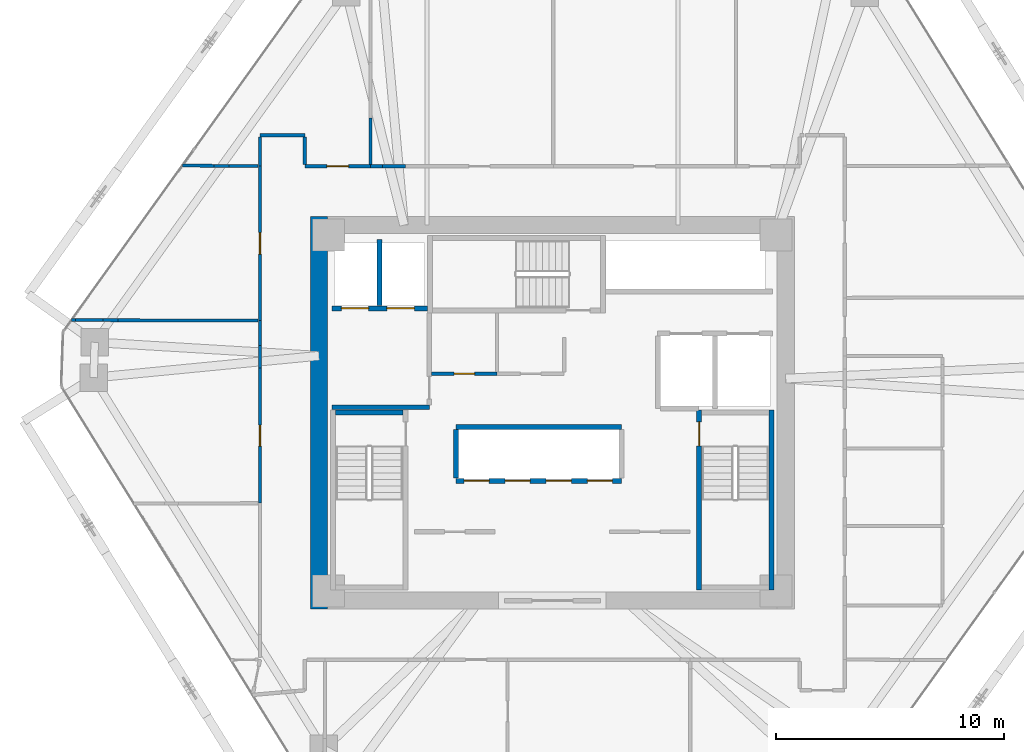
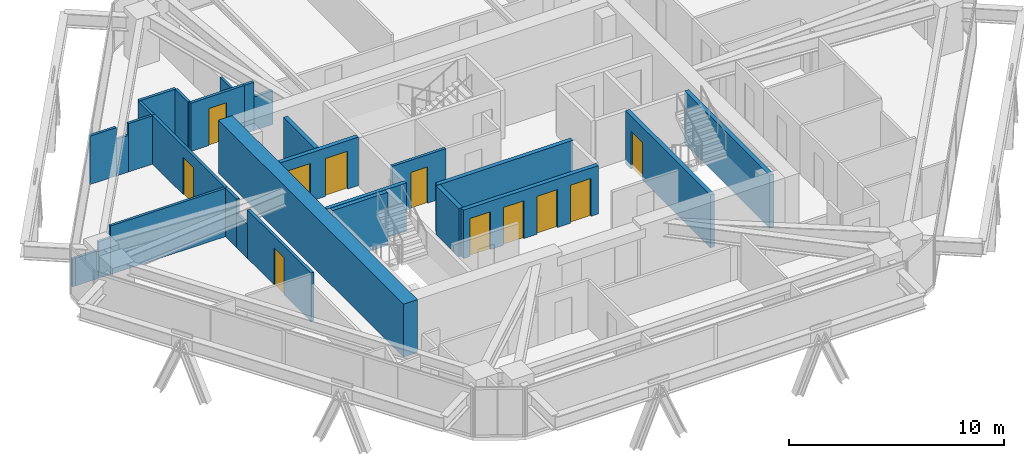
# One storey, part 13 of 17: 29 walls, 11 doors, 11 openings.
"""IFC4 building model written with IfcOpenShell, lengths in metres."""

import ifcopenshell
import ifcopenshell.guid

model = None  # the IFC model being written
_history = None  # IfcOwnerHistory: only IFC2X3 demands one
_inside = {}  # id of a spatial element -> (the spatial element, [elements in it])
_under = {}  # id of a project, library or spatial element -> (it, [spatial elements below it])
_declared = {}  # id of a project -> (the project, [libraries it declares])
_typed = {}  # id of a type object -> (the type object, [elements of that type])
_made_of = {}  # id of a material, layer set ... -> (it, [elements and type objects made of it])


def new_model(schema):
    """Start an empty IFC model of exactly this schema.

    Asked for "IFC4X3", IfcOpenShell would pick the latest addendum, in which some entities
    have other attributes; the version numbers below select the first issue.
    IFC2X3 requires an IfcOwnerHistory on every rooted entity: one is made here for all.
    """
    global model, _history
    if schema == "IFC4X3":
        model = ifcopenshell.file(schema_version=(4, 3, 0, 0))
    else:
        model = ifcopenshell.file(schema=schema)
    _inside.clear()
    _under.clear()
    _declared.clear()
    _typed.clear()
    _made_of.clear()
    _history = None
    if model.schema == "IFC2X3":
        org = make("IfcOrganization", Name="unknown")
        user = make(
            "IfcPersonAndOrganization",
            ThePerson=make("IfcPerson", FamilyName="unknown"),
            TheOrganization=org,
        )
        app = make(
            "IfcApplication",
            ApplicationDeveloper=org,
            Version="unknown",
            ApplicationFullName="unknown",
            ApplicationIdentifier="unknown",
        )
        _history = make(
            "IfcOwnerHistory",
            OwningUser=user,
            OwningApplication=app,
            ChangeAction="ADDED",
            CreationDate=0,
        )
    return model


def make(cls, **values):
    """One entity of the class cls with the attributes given. An attribute that is None is left unset."""
    return model.create_entity(
        cls, **{name: value for name, value in values.items() if value is not None}
    )


def rooted(cls, **values):
    """An entity with a GlobalId (a new one), such as an element, a storey or a relation."""
    return make(cls, GlobalId=ifcopenshell.guid.new(), OwnerHistory=_history, **values)


def si_unit(unit_type, name, prefix=None):
    """IfcSIUnit, for example si_unit("LENGTHUNIT", "METRE", prefix="MILLI")."""
    return make("IfcSIUnit", UnitType=unit_type, Prefix=prefix, Name=name)


def assignment(units):
    """IfcUnitAssignment: the units of a project."""
    return None if units is None else make("IfcUnitAssignment", Units=units)


def point(xyz):
    """IfcCartesianPoint."""
    return None if xyz is None else make("IfcCartesianPoint", Coordinates=xyz)


def direction(xyz):
    """IfcDirection."""
    return None if xyz is None else make("IfcDirection", DirectionRatios=xyz)


def frame(location, z_axis=None, x_axis=None):
    """IfcAxis2Placement3D, a coordinate frame: its origin and axes. An axis left out is left unset."""
    return make(
        "IfcAxis2Placement3D",
        Location=point(location),
        Axis=direction(z_axis),
        RefDirection=direction(x_axis),
    )


def frame_2d(location, x_axis=None):
    """IfcAxis2Placement2D, a coordinate frame in the plane: its origin and x axis."""
    return make(
        "IfcAxis2Placement2D", Location=point(location), RefDirection=direction(x_axis)
    )


def origin():
    """The frame at (0, 0, 0) with its axes left unset."""
    return frame((0.0, 0.0, 0.0))


def place(relative_to, where):
    """IfcLocalPlacement: puts the frame where relative to a parent placement (None: the world)."""
    return make(
        "IfcLocalPlacement", PlacementRelTo=relative_to, RelativePlacement=where
    )


def context(
    kind, dimensions, precision=None, world=None, true_north=None, identifier=None
):
    """IfcGeometricRepresentationContext, for example the 3D "Model" context."""
    return make(
        "IfcGeometricRepresentationContext",
        ContextIdentifier=identifier,
        ContextType=kind,
        CoordinateSpaceDimension=dimensions,
        Precision=precision,
        WorldCoordinateSystem=world,
        TrueNorth=true_north,
    )


def subcontext(parent, identifier, kind, view, scale=None):
    """IfcGeometricRepresentationSubContext, for example "Body" below "Model"."""
    return make(
        "IfcGeometricRepresentationSubContext",
        ContextIdentifier=identifier,
        ContextType=kind,
        ParentContext=parent,
        TargetScale=scale,
        TargetView=view,
    )


def project(units=None, contexts=None):
    """IfcProject with its units and contexts."""
    return rooted(
        "IfcProject",
        Name="project",
        RepresentationContexts=contexts,
        UnitsInContext=assignment(units),
    )


def spatial(cls, under=None, at=None, **own):
    """A site, building, storey or space (cls), placed at a placement, below another one or the project."""
    s = rooted(cls, ObjectPlacement=at, **own)
    if under is not None:
        _under.setdefault(under.id(), (under, []))[1].append(s)
    return s


def profile(cls, at=None, kind="AREA", **sizes):
    """A parametric profile (cls). Its sizes go by their IFC names, for example OverallWidth=200.0."""
    return make(cls, ProfileType=kind, Position=at, **sizes)


def rectangle(**sizes):
    """IfcRectangleProfileDef."""
    return profile("IfcRectangleProfileDef", **sizes)


def extrude(swept, where, along, depth):
    """IfcExtrudedAreaSolid: the profile swept, set in the frame where, extruded along a direction by depth."""
    return make(
        "IfcExtrudedAreaSolid",
        SweptArea=swept,
        Position=where,
        ExtrudedDirection=direction(along),
        Depth=depth,
    )


def shape(context_of_items, identifier, shape_type, items):
    """IfcShapeRepresentation: the items that make up one representation, for example the "Body"."""
    return make(
        "IfcShapeRepresentation",
        ContextOfItems=context_of_items,
        RepresentationIdentifier=identifier,
        RepresentationType=shape_type,
        Items=items,
    )


def source(mapping_origin, context_of_items, identifier, shape_type, items):
    """IfcRepresentationMap: a shape defined once, which mapped items show again and again."""
    return make(
        "IfcRepresentationMap",
        MappingOrigin=mapping_origin,
        MappedRepresentation=shape(context_of_items, identifier, shape_type, items),
    )


def transform(
    local_origin,
    x_axis=None,
    y_axis=None,
    z_axis=None,
    scale=None,
    scale2=None,
    scale3=None,
    uniform=True,
):
    """IfcCartesianTransformationOperator3D, or its non-uniform kind. x_axis, y_axis, z_axis: its Axis1, 2, 3."""
    if uniform:
        return make(
            "IfcCartesianTransformationOperator3D",
            Axis1=direction(x_axis),
            Axis2=direction(y_axis),
            LocalOrigin=point(local_origin),
            Scale=scale,
            Axis3=direction(z_axis),
        )
    return make(
        "IfcCartesianTransformationOperator3DnonUniform",
        Axis1=direction(x_axis),
        Axis2=direction(y_axis),
        LocalOrigin=point(local_origin),
        Scale=scale,
        Axis3=direction(z_axis),
        Scale2=scale2,
        Scale3=scale3,
    )


def mapped(mapping_source, mapping_target):
    """IfcMappedItem: shows the shape of a source again, moved by a transform."""
    return make(
        "IfcMappedItem", MappingSource=mapping_source, MappingTarget=mapping_target
    )


def material(Name=None, Category=None):
    """IfcMaterial."""
    return make("IfcMaterial", Name=Name, Category=Category)


def layer(
    of_material, thickness, ventilated=None, Name=None, Category=None, Priority=None
):
    """IfcMaterialLayer: one layer of a wall or slab, of a material (None: an air gap)."""
    return make(
        "IfcMaterialLayer",
        Material=of_material,
        LayerThickness=thickness,
        IsVentilated=ventilated,
        Name=Name,
        Category=Category,
        Priority=Priority,
    )


def layer_set(layers, Name=None):
    """IfcMaterialLayerSet."""
    return make("IfcMaterialLayerSet", MaterialLayers=layers, LayerSetName=Name)


def made_of(thing, what):
    """Note that an element or type object is made of a material, layer set ...; save() writes the relation."""
    if what is not None:
        _made_of.setdefault(what.id(), (what, []))[1].append(thing)
    return thing


def type_object(cls, material=None, **own):
    """A type object (cls), such as IfcWallType, which elements share."""
    return made_of(rooted(cls, **own), material)


def type_shapes(of_type, sources):
    """Give a type object the sources (RepresentationMaps) that its elements show as mapped items."""
    of_type.RepresentationMaps = sources


def element(
    cls,
    number,
    at=None,
    inside=None,
    cuts=None,
    type_object=None,
    material=None,
    context=None,
    identifier="Body",
    shape_type=None,
    held_by="IfcProductDefinitionShape",
    body=None,
    shapes=None,
    **own,
):
    """One element of the class cls, such as IfcWall. Its Tag is "e" and its number.

    at: its placement. inside: the storey or other place that contains it. cuts: it is an
    opening in that element (IfcRelVoidsElement). A single representation is given by context,
    identifier, shape_type and body (its items); several are given by shapes. held_by: the class
    of the entity that holds the representations. save() writes the other relations.
    """
    e = rooted(cls, Tag="e%d" % number, ObjectPlacement=at, **own)
    if body is not None:
        shapes = [shape(context, identifier, shape_type, body)]
    if shapes is not None:
        e.Representation = make(held_by, Representations=shapes)
    if inside is not None:
        _inside.setdefault(inside.id(), (inside, []))[1].append(e)
    if cuts is not None:
        rooted(
            "IfcRelVoidsElement", RelatingBuildingElement=cuts, RelatedOpeningElement=e
        )
    if type_object is not None:
        _typed.setdefault(type_object.id(), (type_object, []))[1].append(e)
    return made_of(e, material)


def fill(opening, filler):
    """IfcRelFillsElement: the door or window that sits in an opening."""
    return rooted(
        "IfcRelFillsElement",
        RelatingOpeningElement=opening,
        RelatedBuildingElement=filler,
    )


def aggregate(whole, parts):
    """IfcRelAggregates: a whole, such as a stair, and the parts it consists of."""
    return rooted("IfcRelAggregates", RelatingObject=whole, RelatedObjects=parts)


def save(model, path):
    """Write the relations noted so far, then the file.

    IfcRelAggregates (storeys below a building ...), IfcRelContainedInSpatialStructure (elements
    in a storey), IfcRelDefinesByType, IfcRelAssociatesMaterial and IfcRelDeclares: one each for
    every whole, place, type object, material and project.
    """
    for whole, parts in _under.values():
        aggregate(whole, parts)
    for where, things in _inside.values():
        rooted(
            "IfcRelContainedInSpatialStructure",
            RelatedElements=things,
            RelatingStructure=where,
        )
    for kind, things in _typed.values():
        rooted("IfcRelDefinesByType", RelatedObjects=things, RelatingType=kind)
    for what, things in _made_of.values():
        rooted("IfcRelAssociatesMaterial", RelatedObjects=things, RelatingMaterial=what)
    for by, libraries in _declared.values():
        rooted("IfcRelDeclares", RelatingContext=by, RelatedDefinitions=libraries)
    model.write(path)


model = new_model("IFC4")

# Units and contexts
model_context = context("Model", 3, precision=1e-05, world=origin(), true_north=direction((0.0, 1.0)))
body_context = subcontext(model_context, "Body", "Model", "MODEL_VIEW")
ifc_project = project(units=[si_unit("LENGTHUNIT", "METRE"), si_unit("AREAUNIT", "SQUARE_METRE"), si_unit("VOLUMEUNIT", "CUBIC_METRE"), si_unit("PLANEANGLEUNIT", "RADIAN"), si_unit("MASSUNIT", "GRAM", prefix="KILO")], contexts=[model_context])

# Site, building, storey
site_placement = place(None, origin())
site = spatial("IfcSite", under=ifc_project, at=site_placement, CompositionType="ELEMENT")
building_placement = place(site_placement, origin())
building = spatial("IfcBuilding", under=site, at=building_placement, Name="Durnholm Broadcast Tower", CompositionType="ELEMENT")
storey_placement = place(building_placement, frame((0.0, 0.0, 143.10009765625)))
storey = spatial("IfcBuildingStorey", under=building, at=storey_placement, Name="L39", CompositionType="ELEMENT", Elevation=143.10009765625)

# Walls
ifc_material_1 = material(Name="Concrete C70/85", Category="concrete")
ifc_layer_1 = layer(ifc_material_1, 0.75)
ifc_layer_set_1 = layer_set([ifc_layer_1], Name="Concrete C70/85")
wall_type_1 = type_object("IfcWallType", Name="WALL-CW-750", PredefinedType="SHEAR", material=ifc_layer_set_1)
wall_1_placement = place(storey_placement, frame((-10.22509765625, -8.60009765625, 0.0), z_axis=(0.0, 0.0, 1.0), x_axis=(0.0, 1.0, 0.0)))
element("IfcWall", 1, at=wall_1_placement, inside=storey, type_object=wall_type_1, Name="L39 central core shear wall CW-WEST", PredefinedType="SHEAR", context=body_context, shape_type="SweptSolid", body=[
    extrude(rectangle(XDim=17.2001953125, YDim=0.75, at=frame_2d((8.60009765625, 0.0))), origin(), (0.0, 0.0, 1.0), 3.0),
])
ifc_material_2 = material(Name="Fire-Rated Gypsum Shaftwall", Category="concrete")
ifc_layer_2 = layer(ifc_material_2, 0.199951171875)
ifc_layer_set_2 = layer_set([ifc_layer_2], Name="Fire-Rated Gypsum Shaftwall")
wall_type_2 = type_object("IfcWallType", Name="WALL-LOB-200", PredefinedType="SOLIDWALL", material=ifc_layer_set_2)
wall_2_placement = place(storey_placement, frame((-9.64990234375, 0.25, 0.0), z_axis=(0.0, 0.0, 1.0), x_axis=(1.0, 0.0, 0.0)))
element("IfcWall", 2, at=wall_2_placement, inside=storey, type_object=wall_type_2, Name="L39 Fire Service Access Elevator lobby south wall", PredefinedType="SOLIDWALL", context=body_context, shape_type="SweptSolid", body=[
    extrude(rectangle(XDim=4.27001953125, YDim=0.199951171875, at=frame_2d((2.135009765625, 0.0))), origin(), (0.0, 0.0, 1.0), 2.744873046875),
])
ifc_material_3 = material(Name="Gypsum Metal Stud Partition", Category="concrete")
ifc_layer_3 = layer(ifc_material_3, 0.135009765625)
ifc_layer_set_3 = layer_set([ifc_layer_3], Name="Gypsum Metal Stud Partition")
wall_type_3 = type_object("IfcWallType", Name="WALL-PART-135", PredefinedType="PARTITIONING", material=ifc_layer_set_3)
wall_3_placement = place(storey_placement, frame((-7.9638671875, 12.91015625, 0.0), z_axis=(0.0, 0.0, 1.0), x_axis=(0.001811810047, -0.999998358671, 0.0)))
element("IfcWall", 3, at=wall_3_placement, inside=storey, type_object=wall_type_3, Name="L39 room dividing partition 8.9", PredefinedType="PARTITIONING", context=body_context, shape_type="SweptSolid", body=[
    extrude(rectangle(XDim=2.021240234375, YDim=0.135009765625, at=frame_2d((1.0107421875, 0.0))), origin(), (0.0, 0.0, 1.0), 1.912109375),
])
wall_4_placement = place(storey_placement, frame((-12.888916015625, 10.810546875, 0.0), z_axis=(0.0, 0.0, 1.0), x_axis=(-0.999976553189, 0.00684785161, 0.0)))
element("IfcWall", 4, at=wall_4_placement, inside=storey, type_object=wall_type_3, Name="L39 room dividing partition 8.18", PredefinedType="PARTITIONING", context=body_context, shape_type="SweptSolid", body=[
    extrude(rectangle(XDim=1.283447265625, YDim=0.135009765625, at=frame_2d((0.6416015625, 0.0))), origin(), (0.0, 0.0, 1.0), 2.744873046875),
])
wall_5_placement = place(storey_placement, frame((-14.82080078125, 10.82373046875, 0.0), z_axis=(0.0, 0.0, 1.0), x_axis=(-0.999976577186, 0.006844346527, 0.0)))
element("IfcWall", 5, at=wall_5_placement, inside=storey, type_object=wall_type_3, Name="L39 room dividing partition 8.18", PredefinedType="PARTITIONING", context=body_context, shape_type="SweptSolid", body=[
    extrude(rectangle(XDim=1.39111328125, YDim=0.135009765625, at=frame_2d((0.695556640625, 0.0))), origin(), (0.0, 0.0, 1.0), 2.744873046875),
])
wall_6_placement = place(storey_placement, frame((-14.17236328125, 10.8193359375, 0.0), z_axis=(0.0, 0.0, 1.0), x_axis=(-0.999977036192, 0.006776952806, 0.0)))
element("IfcWall", 6, at=wall_6_placement, inside=storey, type_object=wall_type_3, Name="L39 room dividing partition 8.18", PredefinedType="PARTITIONING", context=body_context, shape_type="SweptSolid", body=[
    extrude(rectangle(XDim=0.6484375, YDim=0.135009765625, at=frame_2d((0.32421875, 0.0))), origin(), (0.0, 0.0, 1.0), 2.079833984375),
])
wall_7_placement = place(storey_placement, frame((-20.9013671875, 4.062744140625, 0.0), z_axis=(0.0, 0.0, 1.0), x_axis=(0.999996083157, -0.002798869485, 0.0)))
element("IfcWall", 7, at=wall_7_placement, inside=storey, type_object=wall_type_3, Name="L39 room dividing partition 17.18", PredefinedType="PARTITIONING", context=body_context, shape_type="SweptSolid", body=[
    extrude(rectangle(XDim=1.22119140625, YDim=0.135009765625, at=frame_2d((0.610595703125, 0.0))), origin(), (0.0, 0.0, 1.0), 1.576904296875),
])
wall_8_placement = place(storey_placement, frame((-19.030029296875, 4.0576171875, 0.0), z_axis=(0.0, 0.0, 1.0), x_axis=(0.999996016453, -0.002822601462, 0.0)))
element("IfcWall", 8, at=wall_8_placement, inside=storey, type_object=wall_type_3, Name="L39 room dividing partition 17.18", PredefinedType="PARTITIONING", context=body_context, shape_type="SweptSolid", body=[
    extrude(rectangle(XDim=6.14111328125, YDim=0.135009765625, at=frame_2d((3.070556640625, 0.0))), origin(), (0.0, 0.0, 1.0), 2.744873046875),
])
wall_9_placement = place(storey_placement, frame((-21.075439453125, 4.063232421875, 0.0), z_axis=(0.0, 0.0, 1.0), x_axis=(0.999996065873, -0.002805038053, 0.0)))
element("IfcWall", 9, at=wall_9_placement, inside=storey, type_object=wall_type_3, Name="L39 room dividing partition 17.18", PredefinedType="PARTITIONING", context=body_context, shape_type="SweptSolid", body=[
    extrude(rectangle(XDim=0.174072265625, YDim=0.135009765625, at=frame_2d((0.0869140625, 0.0))), origin(), (0.0, 0.0, 1.0), 1.576904296875),
])
wall_10_placement = place(storey_placement, frame((-19.68017578125, 4.059326171875, 0.0), z_axis=(0.0, 0.0, 1.0), x_axis=(0.999996545211, -0.002628605263, 0.0)))
element("IfcWall", 10, at=wall_10_placement, inside=storey, type_object=wall_type_3, Name="L39 room dividing partition 17.18", PredefinedType="PARTITIONING", context=body_context, shape_type="SweptSolid", body=[
    extrude(rectangle(XDim=0.650146484375, YDim=0.135009765625, at=frame_2d((0.3251953125, 0.0))), origin(), (0.0, 0.0, 1.0), 2.079833984375),
])

# Wall, opening, door
ifc_material_4 = material(Name="Acoustic Gypsum Stud Partition", Category="concrete")
ifc_layer_4 = layer(ifc_material_4, 0.14990234375)
ifc_layer_set_4 = layer_set([ifc_layer_4], Name="Acoustic Gypsum Stud Partition")
wall_type_4 = type_object("IfcWallType", Name="WALL-PART-150", PredefinedType="PARTITIONING", material=ifc_layer_set_4)
wall_11_placement = place(storey_placement, frame((-2.419921875, 1.7099609375, 0.0), z_axis=(0.0, 0.0, 1.0), x_axis=(-1.0, 0.0, 0.0)))
wall_11 = element("IfcWall", 11, at=wall_11_placement, inside=storey, type_object=wall_type_4, Name="L39 Core Equipment Store corridor partition", PredefinedType="PARTITIONING", context=body_context, shape_type="SweptSolid", body=[
    extrude(rectangle(XDim=2.8759765625, YDim=0.14990234375, at=frame_2d((1.43798828125, 0.0))), origin(), (0.0, 0.0, 1.0), 2.744873046875),
])
opening_1_placement = place(wall_11_placement, frame((0.988037109375, 0.0, 0.0)))
opening_1 = element("IfcOpeningElement", 12, at=opening_1_placement, cuts=wall_11, Name="Opening DC-60R", PredefinedType="OPENING", context=body_context, shape_type="SweptSolid", body=[
    extrude(rectangle(XDim=0.89990234375, YDim=2.050048828125, at=frame_2d((0.449951171875, 1.02490234375))), frame((0.0, 0.0849609375, 0.0), z_axis=(0.0, -1.0, 0.0), x_axis=(1.0, 0.0, 0.0)), (0.0, 0.0, 1.0), 0.169921875),
])
ifc_material_5 = material(Name="Fire-Rated Core Service Door", Category="steel")
ifc_layer_5 = layer(ifc_material_5, 0.050048828125)
ifc_layer_set_5 = layer_set([ifc_layer_5], Name="Fire-Rated Core Service Door")
door_type_1 = type_object("IfcDoorType", Name="DOOR-CORE-FD60-R", OperationType="NOTDEFINED", PredefinedType="DOOR", material=ifc_layer_set_5)
shared_shape_1 = source(origin(), body_context, "Body", "SweptSolid", [
    extrude(rectangle(XDim=0.89990234375, YDim=2.050048828125, at=frame_2d((0.449951171875, 1.02490234375))), frame((0.0, 0.02490234375, 0.0), z_axis=(0.0, -1.0, 0.0), x_axis=(1.0, 0.0, 0.0)), (0.0, 0.0, 1.0), 0.050048828125),
])
type_shapes(door_type_1, [shared_shape_1])
door_1_placement = place(opening_1_placement, origin())
door_1 = element("IfcDoor", 13, at=door_1_placement, inside=storey, type_object=door_type_1, Name="L39 Core Equipment Store entrance door", OperationType="SINGLE_SWING_RIGHT", OverallHeight=2.050048828125, OverallWidth=0.89990234375, PredefinedType="DOOR", context=body_context, shape_type="MappedRepresentation", body=[
    mapped(shared_shape_1, transform((0.0, 0.0, 0.0), x_axis=(1.0, 0.0, 0.0), y_axis=(0.0, 1.0, 0.0), z_axis=(0.0, 0.0, 1.0), scale=1.0)),
])
fill(opening_1, door_1)

wall_12_placement = place(storey_placement, frame((-7.9599609375, 10.81005859375, 0.0), z_axis=(0.0, 0.0, 1.0), x_axis=(-1.0, 0.0, 0.0)))
wall_12 = element("IfcWall", 14, at=wall_12_placement, inside=storey, type_object=wall_type_4, Name="L39 Compliance Office 1 corridor partition", PredefinedType="PARTITIONING", context=body_context, shape_type="SweptSolid", body=[
    extrude(rectangle(XDim=2.880126953125, YDim=0.14990234375, at=frame_2d((1.43994140625, 0.0))), origin(), (0.0, 0.0, 1.0), 2.744873046875),
])
opening_2_placement = place(wall_12_placement, frame((0.965087890625, 0.0, 0.0)))
opening_2 = element("IfcOpeningElement", 15, at=opening_2_placement, cuts=wall_12, Name="Opening DR-95L", PredefinedType="OPENING", context=body_context, shape_type="SweptSolid", body=[
    extrude(rectangle(XDim=0.949951171875, YDim=2.10009765625, at=frame_2d((0.47509765625, 1.050048828125))), frame((0.0, 0.0849609375, 0.0), z_axis=(0.0, -1.0, 0.0), x_axis=(1.0, 0.0, 0.0)), (0.0, 0.0, 1.0), 0.169921875),
])
ifc_material_6 = material(Name="Acoustic Oak Veneer Timber Door", Category="wood")
ifc_layer_6 = layer(ifc_material_6, 0.050048828125)
ifc_layer_set_6 = layer_set([ifc_layer_6], Name="Acoustic Oak Veneer Timber Door")
door_type_2 = type_object("IfcDoorType", Name="DOOR-RM-950L", OperationType="NOTDEFINED", PredefinedType="DOOR", material=ifc_layer_set_6)
shared_shape_2 = source(origin(), body_context, "Body", "SweptSolid", [
    extrude(rectangle(XDim=0.949951171875, YDim=2.10009765625, at=frame_2d((0.47509765625, 1.050048828125))), frame((0.0, 0.02490234375, 0.0), z_axis=(0.0, -1.0, 0.0), x_axis=(1.0, 0.0, 0.0)), (0.0, 0.0, 1.0), 0.050048828125),
])
type_shapes(door_type_2, [shared_shape_2])
door_2_placement = place(opening_2_placement, origin())
door_2 = element("IfcDoor", 16, at=door_2_placement, inside=storey, type_object=door_type_2, Name="L39 Compliance Office 1 entrance door", OperationType="SINGLE_SWING_LEFT", OverallHeight=2.10009765625, OverallWidth=0.949951171875, PredefinedType="DOOR", context=body_context, shape_type="MappedRepresentation", body=[
    mapped(shared_shape_2, transform((0.0, 0.0, 0.0), x_axis=(1.0, 0.0, 0.0), y_axis=(0.0, 1.0, 0.0), z_axis=(0.0, 0.0, 1.0), scale=1.0)),
])
fill(opening_2, door_2)

# Walls
wall_13_placement = place(storey_placement, frame((-10.840087890625, 12.159912109375, 0.0), z_axis=(0.0, 0.0, 1.0), x_axis=(-1.0, 0.0, 0.0)))
element("IfcWall", 17, at=wall_13_placement, inside=storey, type_object=wall_type_4, Name="L39 Compliance Office 1 corridor partition", PredefinedType="PARTITIONING", context=body_context, shape_type="SweptSolid", body=[
    extrude(rectangle(XDim=1.969970703125, YDim=0.14990234375, at=frame_2d((0.98486328125, 0.0))), origin(), (0.0, 0.0, 1.0), 2.744873046875),
])
wall_14_placement = place(storey_placement, frame((-10.840087890625, 10.888916015625, 0.0), z_axis=(0.0, 0.0, 1.0), x_axis=(0.0, 1.0, 0.0)))
element("IfcWall", 18, at=wall_14_placement, inside=storey, type_object=wall_type_4, Name="L39 Compliance Office 1 corridor partition", PredefinedType="PARTITIONING", context=body_context, shape_type="SweptSolid", body=[
    extrude(rectangle(XDim=1.192138671875, YDim=0.14990234375, at=frame_2d((0.59619140625, 0.0))), origin(), (0.0, 0.0, 1.0), 2.744873046875),
])
wall_15_placement = place(storey_placement, frame((-12.81005859375, 12.0810546875, 0.0), z_axis=(0.0, 0.0, 1.0), x_axis=(0.0, -1.0, 0.0)))
element("IfcWall", 19, at=wall_15_placement, inside=storey, type_object=wall_type_4, Name="L39 Compliance Office 1 corridor partition", PredefinedType="PARTITIONING", context=body_context, shape_type="SweptSolid", body=[
    extrude(rectangle(XDim=1.27099609375, YDim=0.14990234375, at=frame_2d((0.635498046875, 0.0))), origin(), (0.0, 0.0, 1.0), 2.744873046875),
])
wall_16_placement = place(storey_placement, frame((-7.44287109375, 10.81005859375, 0.0), z_axis=(0.0, 0.0, 1.0), x_axis=(-1.0, 0.0, 0.0)))
element("IfcWall", 20, at=wall_16_placement, inside=storey, type_object=wall_type_4, Name="L39 Compliance Office 2 corridor partition", PredefinedType="PARTITIONING", context=body_context, shape_type="SweptSolid", body=[
    extrude(rectangle(XDim=0.51708984375, YDim=0.14990234375, at=frame_2d((0.258544921875, 0.0))), origin(), (0.0, 0.0, 1.0), 2.744873046875),
])
wall_17_placement = place(storey_placement, frame((-6.441162109375, 10.81005859375, 0.0), z_axis=(0.0, 0.0, 1.0), x_axis=(-1.0, 0.0, 0.0)))
element("IfcWall", 21, at=wall_17_placement, inside=storey, type_object=wall_type_4, Name="L39 Compliance Office 2 corridor partition", PredefinedType="PARTITIONING", context=body_context, shape_type="SweptSolid", body=[
    extrude(rectangle(XDim=1.001708984375, YDim=0.14990234375, at=frame_2d((0.5009765625, 0.0))), origin(), (0.0, 0.0, 1.0), 1.912109375),
])
wall_18_placement = place(storey_placement, frame((-12.81005859375, 4.0400390625, 0.0), z_axis=(0.0, 0.0, 1.0), x_axis=(0.0, -1.0, 0.0)))
element("IfcWall", 22, at=wall_18_placement, inside=storey, type_object=wall_type_4, Name="L39 Compliance Office 2 corridor partition", PredefinedType="PARTITIONING", context=body_context, shape_type="SweptSolid", body=[
    extrude(rectangle(XDim=1.091552734375, YDim=0.14990234375, at=frame_2d((0.5458984375, 0.0))), origin(), (0.0, 0.0, 1.0), 2.744873046875),
])

# Wall, opening, door
wall_19_placement = place(storey_placement, frame((-12.81005859375, 1.955322265625, 0.0), z_axis=(0.0, 0.0, 1.0), x_axis=(0.0, -1.0, 0.0)))
wall_19 = element("IfcWall", 23, at=wall_19_placement, inside=storey, type_object=wall_type_4, Name="L39 Compliance Office 2 corridor partition", PredefinedType="PARTITIONING", context=body_context, shape_type="SweptSolid", body=[
    extrude(rectangle(XDim=5.915283203125, YDim=0.14990234375, at=frame_2d((2.95751953125, 0.0))), origin(), (0.0, 0.0, 1.0), 2.744873046875),
])
opening_3_placement = place(wall_19_placement, frame((2.497802734375, 0.0, 0.0)))
opening_3 = element("IfcOpeningElement", 24, at=opening_3_placement, cuts=wall_19, Name="Opening DR-92R", PredefinedType="OPENING", context=body_context, shape_type="SweptSolid", body=[
    extrude(rectangle(XDim=0.919921875, YDim=2.10009765625, at=frame_2d((0.4599609375, 1.050048828125))), frame((0.0, 0.0849609375, 0.0), z_axis=(0.0, -1.0, 0.0), x_axis=(1.0, 0.0, 0.0)), (0.0, 0.0, 1.0), 0.169921875),
])
ifc_material_7 = material(Name="Oak Veneer Office Door", Category="wood")
ifc_layer_7 = layer(ifc_material_7, 0.050048828125)
ifc_layer_set_7 = layer_set([ifc_layer_7], Name="Oak Veneer Office Door")
door_type_3 = type_object("IfcDoorType", Name="DOOR-RM-920R", OperationType="NOTDEFINED", PredefinedType="DOOR", material=ifc_layer_set_7)
shared_shape_3 = source(origin(), body_context, "Body", "SweptSolid", [
    extrude(rectangle(XDim=0.919921875, YDim=2.10009765625, at=frame_2d((0.4599609375, 1.050048828125))), frame((0.0, 0.02490234375, 0.0), z_axis=(0.0, -1.0, 0.0), x_axis=(1.0, 0.0, 0.0)), (0.0, 0.0, 1.0), 0.050048828125),
])
type_shapes(door_type_3, [shared_shape_3])
door_3_placement = place(opening_3_placement, origin())
door_3 = element("IfcDoor", 25, at=door_3_placement, inside=storey, type_object=door_type_3, Name="L39 Compliance Office 2 entrance door", OperationType="SINGLE_SWING_RIGHT", OverallHeight=2.10009765625, OverallWidth=0.919921875, PredefinedType="DOOR", context=body_context, shape_type="MappedRepresentation", body=[
    mapped(shared_shape_3, transform((0.0, 0.0, 0.0), x_axis=(1.0, 0.0, 0.0), y_axis=(0.0, 1.0, 0.0), z_axis=(0.0, 0.0, 1.0), scale=1.0)),
])
fill(opening_3, door_3)

# Wall
wall_20_placement = place(storey_placement, frame((-12.81005859375, 2.948486328125, 0.0), z_axis=(0.0, 0.0, 1.0), x_axis=(0.0, -1.0, 0.0)))
element("IfcWall", 26, at=wall_20_placement, inside=storey, type_object=wall_type_4, Name="L39 Compliance Office 2 corridor partition", PredefinedType="PARTITIONING", context=body_context, shape_type="SweptSolid", body=[
    extrude(rectangle(XDim=0.9931640625, YDim=0.14990234375, at=frame_2d((0.49658203125, 0.0))), origin(), (0.0, 0.0, 1.0), 1.912109375),
])

# Wall, opening, door
wall_21_placement = place(storey_placement, frame((-12.81005859375, 10.81005859375, 0.0), z_axis=(0.0, 0.0, 1.0), x_axis=(0.0, -1.0, 0.0)))
wall_21 = element("IfcWall", 27, at=wall_21_placement, inside=storey, type_object=wall_type_4, Name="L39 Captioning Office corridor partition", PredefinedType="PARTITIONING", context=body_context, shape_type="SweptSolid", body=[
    extrude(rectangle(XDim=6.77001953125, YDim=0.14990234375, at=frame_2d((3.385009765625, 0.0))), origin(), (0.0, 0.0, 1.0), 2.744873046875),
])
opening_4_placement = place(wall_21_placement, frame((2.909912109375, 0.0, 0.0)))
opening_4 = element("IfcOpeningElement", 28, at=opening_4_placement, cuts=wall_21, Name="Opening DR-95L", PredefinedType="OPENING", context=body_context, shape_type="SweptSolid", body=[
    extrude(rectangle(XDim=0.949951171875, YDim=2.10009765625, at=frame_2d((0.47509765625, 1.050048828125))), frame((0.0, 0.0849609375, 0.0), z_axis=(0.0, -1.0, 0.0), x_axis=(1.0, 0.0, 0.0)), (0.0, 0.0, 1.0), 0.169921875),
])
door_4_placement = place(opening_4_placement, origin())
door_4 = element("IfcDoor", 29, at=door_4_placement, inside=storey, type_object=door_type_2, Name="L39 Captioning Office entrance door", OperationType="SINGLE_SWING_LEFT", OverallHeight=2.10009765625, OverallWidth=0.949951171875, PredefinedType="DOOR", context=body_context, shape_type="MappedRepresentation", body=[
    mapped(shared_shape_2, transform((0.0, 0.0, 0.0), x_axis=(1.0, 0.0, 0.0), y_axis=(0.0, 1.0, 0.0), z_axis=(0.0, 0.0, 1.0), scale=1.0)),
])
fill(opening_4, door_4)

# Wall, openings, doors
ifc_material_8 = material(Name="Concrete Blockwork C30/37", Category="masonry")
ifc_layer_8 = layer(ifc_material_8, 0.219970703125)
ifc_layer_set_8 = layer_set([ifc_layer_8], Name="Concrete Blockwork C30/37")
wall_type_5 = type_object("IfcWallType", Name="WALL-SHAFT-220", PredefinedType="SOLIDWALL", material=ifc_layer_set_8)
wall_22_placement = place(storey_placement, frame((-9.64990234375, 4.580078125, 0.0), z_axis=(0.0, 0.0, 1.0), x_axis=(1.0, 0.0, 0.0)))
wall_22 = element("IfcWall", 30, at=wall_22_placement, inside=storey, type_object=wall_type_5, Name="L39 FSAE hoistway front fire wall", PredefinedType="SOLIDWALL", context=body_context, shape_type="SweptSolid", body=[
    extrude(rectangle(XDim=4.1748046875, YDim=0.219970703125, at=frame_2d((2.08740234375, 0.0))), origin(), (0.0, 0.0, 1.0), 2.744873046875),
])
opening_5_placement = place(wall_22_placement, frame((0.39990234375, 0.0, 0.0)))
opening_5 = element("IfcOpeningElement", 31, at=opening_5_placement, cuts=wall_22, Name="Opening LD-FSAE-2", PredefinedType="OPENING", context=body_context, shape_type="SweptSolid", body=[
    extrude(rectangle(XDim=1.199951171875, YDim=2.14990234375, at=frame_2d((0.60009765625, 1.074951171875))), frame((0.0, 0.1201171875, 0.0), z_axis=(0.0, -1.0, 0.0), x_axis=(1.0, 0.0, 0.0)), (0.0, 0.0, 1.0), 0.239990234375),
])
opening_6_placement = place(wall_22_placement, frame((2.39990234375, 0.0, 0.0)))
opening_6 = element("IfcOpeningElement", 32, at=opening_6_placement, cuts=wall_22, Name="Opening LD-FSAE-1", PredefinedType="OPENING", context=body_context, shape_type="SweptSolid", body=[
    extrude(rectangle(XDim=1.199951171875, YDim=2.14990234375, at=frame_2d((0.60009765625, 1.074951171875))), frame((0.0, 0.1201171875, 0.0), z_axis=(0.0, -1.0, 0.0), x_axis=(1.0, 0.0, 0.0)), (0.0, 0.0, 1.0), 0.239990234375),
])
ifc_material_9 = material(Name="Fire Service Access Sliding Landing Door", Category="steel")
ifc_layer_9 = layer(ifc_material_9, 0.050048828125)
ifc_layer_set_9 = layer_set([ifc_layer_9], Name="Fire Service Access Sliding Landing Door")
door_type_4 = type_object("IfcDoorType", Name="DOOR-LIFT-FSAE", OperationType="DOUBLE_DOOR_SLIDING", PredefinedType="DOOR", material=ifc_layer_set_9)
shared_shape_4 = source(origin(), body_context, "Body", "SweptSolid", [
    extrude(rectangle(XDim=1.199951171875, YDim=2.14990234375, at=frame_2d((0.60009765625, 1.074951171875))), frame((0.0, 0.02490234375, 0.0), z_axis=(0.0, -1.0, 0.0), x_axis=(1.0, 0.0, 0.0)), (0.0, 0.0, 1.0), 0.050048828125),
])
type_shapes(door_type_4, [shared_shape_4])
door_5_placement = place(opening_5_placement, origin())
door_5 = element("IfcDoor", 33, at=door_5_placement, inside=storey, type_object=door_type_4, Name="L39 Fire Service Access Elevator FSAE-2 sliding landing door", OperationType="DOUBLE_DOOR_SLIDING", OverallHeight=2.14990234375, OverallWidth=1.199951171875, PredefinedType="DOOR", context=body_context, shape_type="MappedRepresentation", body=[
    mapped(shared_shape_4, transform((0.0, 0.0, 0.0), x_axis=(1.0, 0.0, 0.0), y_axis=(0.0, 1.0, 0.0), z_axis=(0.0, 0.0, 1.0), scale=1.0)),
])
fill(opening_5, door_5)
door_6_placement = place(opening_6_placement, origin())
door_6 = element("IfcDoor", 34, at=door_6_placement, inside=storey, type_object=door_type_4, Name="L39 Fire Service Access Elevator FSAE-1 sliding landing door", OperationType="DOUBLE_DOOR_SLIDING", OverallHeight=2.14990234375, OverallWidth=1.199951171875, PredefinedType="DOOR", context=body_context, shape_type="MappedRepresentation", body=[
    mapped(shared_shape_4, transform((0.0, 0.0, 0.0), x_axis=(1.0, 0.0, 0.0), y_axis=(0.0, 1.0, 0.0), z_axis=(0.0, 0.0, 1.0), scale=1.0)),
])
fill(opening_6, door_6)

# Wall
wall_23_placement = place(storey_placement, frame((-7.580078125, 4.694091796875, 0.0), z_axis=(0.0, 0.0, 1.0), x_axis=(0.0, 1.0, 0.0)))
element("IfcWall", 35, at=wall_23_placement, inside=storey, type_object=wall_type_5, Name="L39 FSAE shaft divider wall", PredefinedType="SOLIDWALL", context=body_context, shape_type="SweptSolid", body=[
    extrude(rectangle(XDim=2.906005859375, YDim=0.219970703125, at=frame_2d((1.453125, 0.0))), origin(), (0.0, 0.0, 1.0), 2.744873046875),
])

# Wall, openings, doors
wall_24_placement = place(storey_placement, frame((-4.219970703125, -2.97998046875, 0.0), z_axis=(0.0, 0.0, 1.0), x_axis=(1.0, 0.0, 0.0)))
wall_24 = element("IfcWall", 36, at=wall_24_placement, inside=storey, type_object=wall_type_5, Name="L39 mid-rise bank P2 south front wall", PredefinedType="SOLIDWALL", context=body_context, shape_type="SweptSolid", body=[
    extrude(rectangle(XDim=7.239990234375, YDim=0.219970703125, at=frame_2d((3.6201171875, 0.0))), origin(), (0.0, 0.0, 1.0), 2.744873046875),
])
opening_7_placement = place(wall_24_placement, frame((0.35009765625, 0.0, 0.0)))
opening_7 = element("IfcOpeningElement", 37, at=opening_7_placement, cuts=wall_24, Name="Opening LD-LP2-1", PredefinedType="OPENING", context=body_context, shape_type="SweptSolid", body=[
    extrude(rectangle(XDim=1.10009765625, YDim=2.14990234375, at=frame_2d((0.550048828125, 1.074951171875))), frame((0.0, 0.1201171875, 0.0), z_axis=(0.0, -1.0, 0.0), x_axis=(1.0, 0.0, 0.0)), (0.0, 0.0, 1.0), 0.239990234375),
])
opening_8_placement = place(wall_24_placement, frame((2.14990234375, 0.0, 0.0)))
opening_8 = element("IfcOpeningElement", 38, at=opening_8_placement, cuts=wall_24, Name="Opening LD-LP2-2", PredefinedType="OPENING", context=body_context, shape_type="SweptSolid", body=[
    extrude(rectangle(XDim=1.10009765625, YDim=2.14990234375, at=frame_2d((0.550048828125, 1.074951171875))), frame((0.0, 0.1201171875, 0.0), z_axis=(0.0, -1.0, 0.0), x_axis=(1.0, 0.0, 0.0)), (0.0, 0.0, 1.0), 0.239990234375),
])
opening_9_placement = place(wall_24_placement, frame((3.949951171875, 0.0, 0.0)))
opening_9 = element("IfcOpeningElement", 39, at=opening_9_placement, cuts=wall_24, Name="Opening LD-LP2-3", PredefinedType="OPENING", context=body_context, shape_type="SweptSolid", body=[
    extrude(rectangle(XDim=1.10009765625, YDim=2.14990234375, at=frame_2d((0.550048828125, 1.074951171875))), frame((0.0, 0.1201171875, 0.0), z_axis=(0.0, -1.0, 0.0), x_axis=(1.0, 0.0, 0.0)), (0.0, 0.0, 1.0), 0.239990234375),
])
opening_10_placement = place(wall_24_placement, frame((5.75, 0.0, 0.0)))
opening_10 = element("IfcOpeningElement", 40, at=opening_10_placement, cuts=wall_24, Name="Opening LD-LP2-4", PredefinedType="OPENING", context=body_context, shape_type="SweptSolid", body=[
    extrude(rectangle(XDim=1.10009765625, YDim=2.14990234375, at=frame_2d((0.550048828125, 1.074951171875))), frame((0.0, 0.1201171875, 0.0), z_axis=(0.0, -1.0, 0.0), x_axis=(1.0, 0.0, 0.0)), (0.0, 0.0, 1.0), 0.239990234375),
])
ifc_material_10 = material(Name="Stainless Steel Sliding Elevator Landing Door", Category="steel")
ifc_layer_10 = layer(ifc_material_10, 0.050048828125)
ifc_layer_set_10 = layer_set([ifc_layer_10], Name="Stainless Steel Sliding Elevator Landing Door")
door_type_5 = type_object("IfcDoorType", Name="DOOR-LIFT-PAX", OperationType="DOUBLE_DOOR_SLIDING", PredefinedType="DOOR", material=ifc_layer_set_10)
shared_shape_5 = source(origin(), body_context, "Body", "SweptSolid", [
    extrude(rectangle(XDim=1.10009765625, YDim=2.14990234375, at=frame_2d((0.550048828125, 1.074951171875))), frame((0.0, 0.02490234375, 0.0), z_axis=(0.0, -1.0, 0.0), x_axis=(1.0, 0.0, 0.0)), (0.0, 0.0, 1.0), 0.050048828125),
])
type_shapes(door_type_5, [shared_shape_5])
door_7_placement = place(opening_7_placement, origin())
door_7 = element("IfcDoor", 41, at=door_7_placement, inside=storey, type_object=door_type_5, Name="L39 passenger elevator LP2-1 sliding landing door", OperationType="DOUBLE_DOOR_SLIDING", OverallHeight=2.14990234375, OverallWidth=1.10009765625, PredefinedType="DOOR", context=body_context, shape_type="MappedRepresentation", body=[
    mapped(shared_shape_5, transform((0.0, 0.0, 0.0), x_axis=(1.0, 0.0, 0.0), y_axis=(0.0, 1.0, 0.0), z_axis=(0.0, 0.0, 1.0), scale=1.0)),
])
fill(opening_7, door_7)
door_8_placement = place(opening_8_placement, origin())
door_8 = element("IfcDoor", 42, at=door_8_placement, inside=storey, type_object=door_type_5, Name="L39 passenger elevator LP2-2 sliding landing door", OperationType="DOUBLE_DOOR_SLIDING", OverallHeight=2.14990234375, OverallWidth=1.10009765625, PredefinedType="DOOR", context=body_context, shape_type="MappedRepresentation", body=[
    mapped(shared_shape_5, transform((0.0, 0.0, 0.0), x_axis=(1.0, 0.0, 0.0), y_axis=(0.0, 1.0, 0.0), z_axis=(0.0, 0.0, 1.0), scale=1.0)),
])
fill(opening_8, door_8)
door_9_placement = place(opening_9_placement, origin())
door_9 = element("IfcDoor", 43, at=door_9_placement, inside=storey, type_object=door_type_5, Name="L39 passenger elevator LP2-3 sliding landing door", OperationType="DOUBLE_DOOR_SLIDING", OverallHeight=2.14990234375, OverallWidth=1.10009765625, PredefinedType="DOOR", context=body_context, shape_type="MappedRepresentation", body=[
    mapped(shared_shape_5, transform((0.0, 0.0, 0.0), x_axis=(1.0, 0.0, 0.0), y_axis=(0.0, 1.0, 0.0), z_axis=(0.0, 0.0, 1.0), scale=1.0)),
])
fill(opening_9, door_9)
door_10_placement = place(opening_10_placement, origin())
door_10 = element("IfcDoor", 44, at=door_10_placement, inside=storey, type_object=door_type_5, Name="L39 passenger elevator LP2-4 sliding landing door", OperationType="DOUBLE_DOOR_SLIDING", OverallHeight=2.14990234375, OverallWidth=1.10009765625, PredefinedType="DOOR", context=body_context, shape_type="MappedRepresentation", body=[
    mapped(shared_shape_5, transform((0.0, 0.0, 0.0), x_axis=(1.0, 0.0, 0.0), y_axis=(0.0, 1.0, 0.0), z_axis=(0.0, 0.0, 1.0), scale=1.0)),
])
fill(opening_10, door_10)

# Walls
wall_25_placement = place(storey_placement, frame((-4.219970703125, -0.6201171875, 0.0), z_axis=(0.0, 0.0, 1.0), x_axis=(1.0, 0.0, 0.0)))
element("IfcWall", 45, at=wall_25_placement, inside=storey, type_object=wall_type_5, Name="L39 mid-rise bank P2 north shaft wall", PredefinedType="SOLIDWALL", context=body_context, shape_type="SweptSolid", body=[
    extrude(rectangle(XDim=7.239990234375, YDim=0.219970703125, at=frame_2d((3.6201171875, 0.0))), origin(), (0.0, 0.0, 1.0), 2.744873046875),
])
wall_26_placement = place(storey_placement, frame((-4.219970703125, -2.865966796875, 0.0), z_axis=(0.0, 0.0, 1.0), x_axis=(0.0, 1.0, 0.0)))
element("IfcWall", 46, at=wall_26_placement, inside=storey, type_object=wall_type_5, Name="L39 mid-rise bank P2 west shaft wall", PredefinedType="SOLIDWALL", context=body_context, shape_type="SweptSolid", body=[
    extrude(rectangle(XDim=2.132080078125, YDim=0.219970703125, at=frame_2d((1.06591796875, 0.0))), origin(), (0.0, 0.0, 1.0), 2.744873046875),
])
ifc_material_11 = material(Name="Concrete C50/60", Category="concrete")
ifc_layer_11 = layer(ifc_material_11, 0.219970703125)
ifc_layer_set_11 = layer_set([ifc_layer_11], Name="Concrete C50/60")
wall_type_6 = type_object("IfcWallType", Name="WALL-SW-220", PredefinedType="SHEAR", material=ifc_layer_set_11)
wall_27_placement = place(storey_placement, frame((-6.5400390625, 0.010009765625, -0.239990234375), z_axis=(0.0, 0.0, 1.0), x_axis=(-1.0, 0.0, 0.0)))
element("IfcWall", 47, at=wall_27_placement, inside=storey, type_object=wall_type_6, Name="L39 stair ST-1 structural shaft wall N", PredefinedType="SHEAR", context=body_context, shape_type="SweptSolid", body=[
    extrude(rectangle(XDim=2.9599609375, YDim=0.219970703125, at=frame_2d((1.47998046875, 0.0))), origin(), (0.0, 0.0, 1.0), 3.0),
])
wall_28_placement = place(storey_placement, frame((9.610107421875, -7.77001953125, -0.239990234375), z_axis=(0.0, 0.0, 1.0), x_axis=(0.0, 1.0, 0.0)))
element("IfcWall", 48, at=wall_28_placement, inside=storey, type_object=wall_type_6, Name="L39 stair ST-2 structural shaft wall E", PredefinedType="SHEAR", context=body_context, shape_type="SweptSolid", body=[
    extrude(rectangle(XDim=7.89013671875, YDim=0.219970703125, at=frame_2d((3.945068359375, 0.0))), origin(), (0.0, 0.0, 1.0), 3.0),
])

# Wall, opening, door
wall_29_placement = place(storey_placement, frame((6.429931640625, 0.1201171875, -0.239990234375), z_axis=(0.0, 0.0, 1.0), x_axis=(0.0, -1.0, 0.0)))
wall_29 = element("IfcWall", 49, at=wall_29_placement, inside=storey, type_object=wall_type_6, Name="L39 stair ST-2 structural shaft wall W", PredefinedType="SHEAR", context=body_context, shape_type="SweptSolid", body=[
    extrude(rectangle(XDim=7.89013671875, YDim=0.219970703125, at=frame_2d((3.945068359375, 0.0))), origin(), (0.0, 0.0, 1.0), 3.0),
])
opening_11_placement = place(wall_29_placement, frame((0.52001953125, 0.0, 0.0)))
opening_11 = element("IfcOpeningElement", 50, at=opening_11_placement, cuts=wall_29, Name="Opening DS-90R", PredefinedType="OPENING", context=body_context, shape_type="SweptSolid", body=[
    extrude(rectangle(XDim=1.050048828125, YDim=2.14990234375, at=frame_2d((0.52490234375, 1.074951171875))), frame((0.0, 0.1201171875, 0.0), z_axis=(0.0, -1.0, 0.0), x_axis=(1.0, 0.0, 0.0)), (0.0, 0.0, 1.0), 0.239990234375),
])
ifc_material_12 = material(Name="Fire-Rated Steel Door", Category="steel")
ifc_layer_12 = layer(ifc_material_12, 0.050048828125)
ifc_layer_set_12 = layer_set([ifc_layer_12], Name="Fire-Rated Steel Door")
door_type_6 = type_object("IfcDoorType", Name="DOOR-ST-FD90-R", OperationType="NOTDEFINED", PredefinedType="DOOR", material=ifc_layer_set_12)
shared_shape_6 = source(origin(), body_context, "Body", "SweptSolid", [
    extrude(rectangle(XDim=1.050048828125, YDim=2.14990234375, at=frame_2d((0.52490234375, 1.074951171875))), frame((0.0, 0.02490234375, 0.0), z_axis=(0.0, -1.0, 0.0), x_axis=(1.0, 0.0, 0.0)), (0.0, 0.0, 1.0), 0.050048828125),
])
type_shapes(door_type_6, [shared_shape_6])
door_11_placement = place(opening_11_placement, origin())
door_11 = element("IfcDoor", 51, at=door_11_placement, inside=storey, type_object=door_type_6, Name="L39 exit stair ST-2 fire door", OperationType="SINGLE_SWING_RIGHT", OverallHeight=2.14990234375, OverallWidth=1.050048828125, PredefinedType="DOOR", context=body_context, shape_type="MappedRepresentation", body=[
    mapped(shared_shape_6, transform((0.0, 0.0, 0.0), x_axis=(1.0, 0.0, 0.0), y_axis=(0.0, 1.0, 0.0), z_axis=(0.0, 0.0, 1.0), scale=1.0)),
])
fill(opening_11, door_11)

save(model, "model.ifc")
